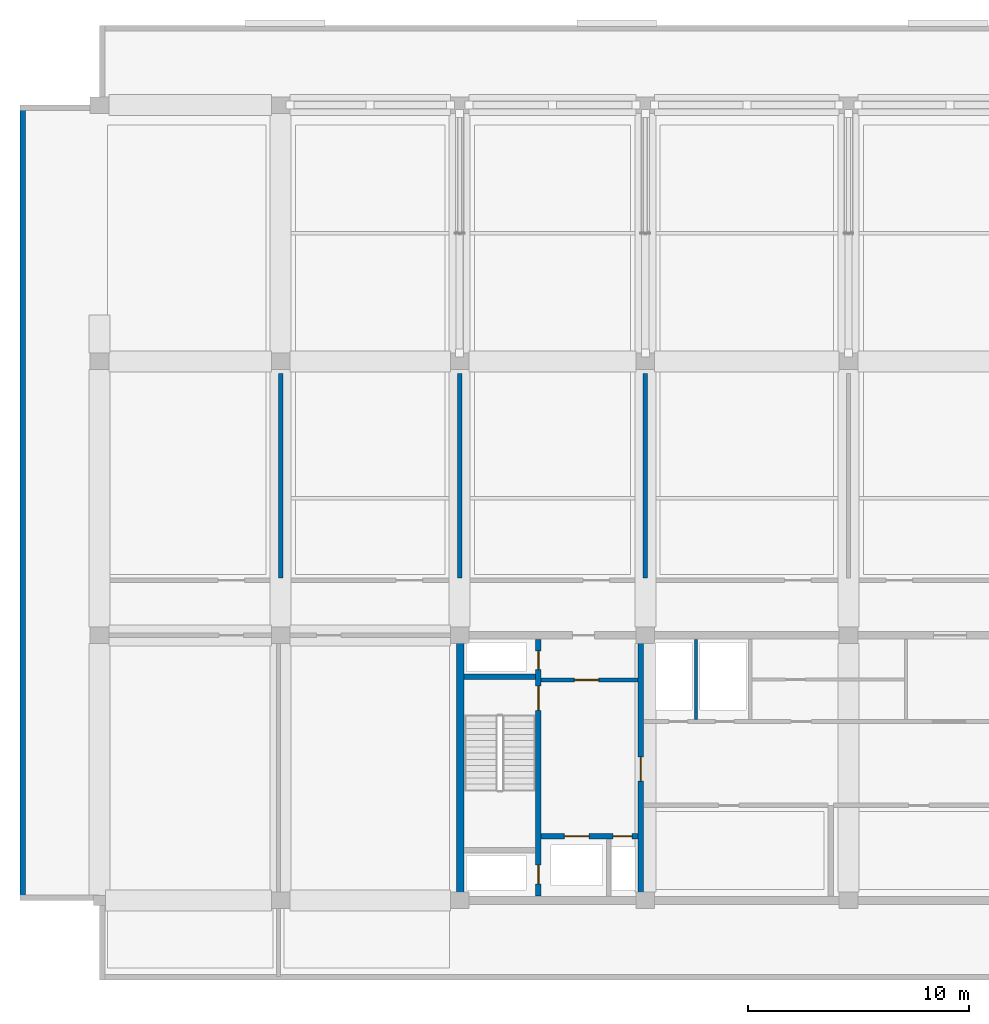
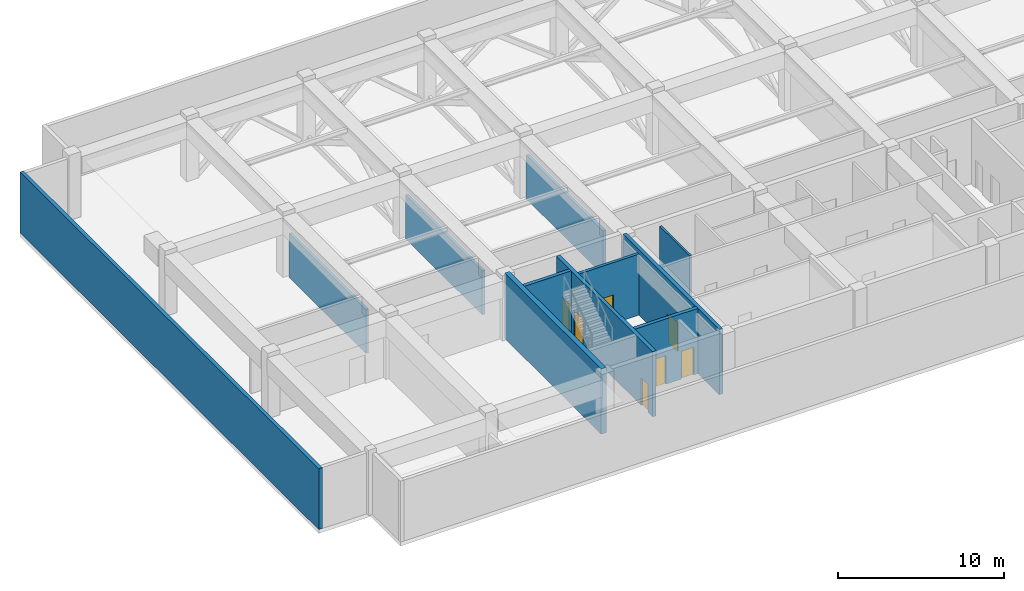
# One storey, part 5 of 11: 11 walls, 7 doors, 7 openings.
"""IFC4 building model written with IfcOpenShell, lengths in metres."""

import ifcopenshell
import ifcopenshell.guid

model = None  # the IFC model being written
_history = None  # IfcOwnerHistory: only IFC2X3 demands one
_inside = {}  # id of a spatial element -> (the spatial element, [elements in it])
_under = {}  # id of a project, library or spatial element -> (it, [spatial elements below it])
_declared = {}  # id of a project -> (the project, [libraries it declares])
_typed = {}  # id of a type object -> (the type object, [elements of that type])
_made_of = {}  # id of a material, layer set ... -> (it, [elements and type objects made of it])


def new_model(schema):
    """Start an empty IFC model of exactly this schema.

    Asked for "IFC4X3", IfcOpenShell would pick the latest addendum, in which some entities
    have other attributes; the version numbers below select the first issue.
    IFC2X3 requires an IfcOwnerHistory on every rooted entity: one is made here for all.
    """
    global model, _history
    if schema == "IFC4X3":
        model = ifcopenshell.file(schema_version=(4, 3, 0, 0))
    else:
        model = ifcopenshell.file(schema=schema)
    _inside.clear()
    _under.clear()
    _declared.clear()
    _typed.clear()
    _made_of.clear()
    _history = None
    if model.schema == "IFC2X3":
        org = make("IfcOrganization", Name="unknown")
        user = make(
            "IfcPersonAndOrganization",
            ThePerson=make("IfcPerson", FamilyName="unknown"),
            TheOrganization=org,
        )
        app = make(
            "IfcApplication",
            ApplicationDeveloper=org,
            Version="unknown",
            ApplicationFullName="unknown",
            ApplicationIdentifier="unknown",
        )
        _history = make(
            "IfcOwnerHistory",
            OwningUser=user,
            OwningApplication=app,
            ChangeAction="ADDED",
            CreationDate=0,
        )
    return model


def make(cls, **values):
    """One entity of the class cls with the attributes given. An attribute that is None is left unset."""
    return model.create_entity(
        cls, **{name: value for name, value in values.items() if value is not None}
    )


def rooted(cls, **values):
    """An entity with a GlobalId (a new one), such as an element, a storey or a relation."""
    return make(cls, GlobalId=ifcopenshell.guid.new(), OwnerHistory=_history, **values)


def si_unit(unit_type, name, prefix=None):
    """IfcSIUnit, for example si_unit("LENGTHUNIT", "METRE", prefix="MILLI")."""
    return make("IfcSIUnit", UnitType=unit_type, Prefix=prefix, Name=name)


def assignment(units):
    """IfcUnitAssignment: the units of a project."""
    return None if units is None else make("IfcUnitAssignment", Units=units)


def point(xyz):
    """IfcCartesianPoint."""
    return None if xyz is None else make("IfcCartesianPoint", Coordinates=xyz)


def direction(xyz):
    """IfcDirection."""
    return None if xyz is None else make("IfcDirection", DirectionRatios=xyz)


def frame(location, z_axis=None, x_axis=None):
    """IfcAxis2Placement3D, a coordinate frame: its origin and axes. An axis left out is left unset."""
    return make(
        "IfcAxis2Placement3D",
        Location=point(location),
        Axis=direction(z_axis),
        RefDirection=direction(x_axis),
    )


def frame_2d(location, x_axis=None):
    """IfcAxis2Placement2D, a coordinate frame in the plane: its origin and x axis."""
    return make(
        "IfcAxis2Placement2D", Location=point(location), RefDirection=direction(x_axis)
    )


def origin():
    """The frame at (0, 0, 0) with its axes left unset."""
    return frame((0.0, 0.0, 0.0))


def place(relative_to, where):
    """IfcLocalPlacement: puts the frame where relative to a parent placement (None: the world)."""
    return make(
        "IfcLocalPlacement", PlacementRelTo=relative_to, RelativePlacement=where
    )


def context(
    kind, dimensions, precision=None, world=None, true_north=None, identifier=None
):
    """IfcGeometricRepresentationContext, for example the 3D "Model" context."""
    return make(
        "IfcGeometricRepresentationContext",
        ContextIdentifier=identifier,
        ContextType=kind,
        CoordinateSpaceDimension=dimensions,
        Precision=precision,
        WorldCoordinateSystem=world,
        TrueNorth=true_north,
    )


def subcontext(parent, identifier, kind, view, scale=None):
    """IfcGeometricRepresentationSubContext, for example "Body" below "Model"."""
    return make(
        "IfcGeometricRepresentationSubContext",
        ContextIdentifier=identifier,
        ContextType=kind,
        ParentContext=parent,
        TargetScale=scale,
        TargetView=view,
    )


def project(units=None, contexts=None):
    """IfcProject with its units and contexts."""
    return rooted(
        "IfcProject",
        Name="project",
        RepresentationContexts=contexts,
        UnitsInContext=assignment(units),
    )


def spatial(cls, under=None, at=None, **own):
    """A site, building, storey or space (cls), placed at a placement, below another one or the project."""
    s = rooted(cls, ObjectPlacement=at, **own)
    if under is not None:
        _under.setdefault(under.id(), (under, []))[1].append(s)
    return s


def profile(cls, at=None, kind="AREA", **sizes):
    """A parametric profile (cls). Its sizes go by their IFC names, for example OverallWidth=200.0."""
    return make(cls, ProfileType=kind, Position=at, **sizes)


def rectangle(**sizes):
    """IfcRectangleProfileDef."""
    return profile("IfcRectangleProfileDef", **sizes)


def extrude(swept, where, along, depth):
    """IfcExtrudedAreaSolid: the profile swept, set in the frame where, extruded along a direction by depth."""
    return make(
        "IfcExtrudedAreaSolid",
        SweptArea=swept,
        Position=where,
        ExtrudedDirection=direction(along),
        Depth=depth,
    )


def shape(context_of_items, identifier, shape_type, items):
    """IfcShapeRepresentation: the items that make up one representation, for example the "Body"."""
    return make(
        "IfcShapeRepresentation",
        ContextOfItems=context_of_items,
        RepresentationIdentifier=identifier,
        RepresentationType=shape_type,
        Items=items,
    )


def material(Name=None, Category=None):
    """IfcMaterial."""
    return make("IfcMaterial", Name=Name, Category=Category)


def layer(
    of_material, thickness, ventilated=None, Name=None, Category=None, Priority=None
):
    """IfcMaterialLayer: one layer of a wall or slab, of a material (None: an air gap)."""
    return make(
        "IfcMaterialLayer",
        Material=of_material,
        LayerThickness=thickness,
        IsVentilated=ventilated,
        Name=Name,
        Category=Category,
        Priority=Priority,
    )


def layer_set(layers, Name=None):
    """IfcMaterialLayerSet."""
    return make("IfcMaterialLayerSet", MaterialLayers=layers, LayerSetName=Name)


def made_of(thing, what):
    """Note that an element or type object is made of a material, layer set ...; save() writes the relation."""
    if what is not None:
        _made_of.setdefault(what.id(), (what, []))[1].append(thing)
    return thing


def type_object(cls, material=None, **own):
    """A type object (cls), such as IfcWallType, which elements share."""
    return made_of(rooted(cls, **own), material)


def element(
    cls,
    number,
    at=None,
    inside=None,
    cuts=None,
    type_object=None,
    material=None,
    context=None,
    identifier="Body",
    shape_type=None,
    held_by="IfcProductDefinitionShape",
    body=None,
    shapes=None,
    **own,
):
    """One element of the class cls, such as IfcWall. Its Tag is "e" and its number.

    at: its placement. inside: the storey or other place that contains it. cuts: it is an
    opening in that element (IfcRelVoidsElement). A single representation is given by context,
    identifier, shape_type and body (its items); several are given by shapes. held_by: the class
    of the entity that holds the representations. save() writes the other relations.
    """
    e = rooted(cls, Tag="e%d" % number, ObjectPlacement=at, **own)
    if body is not None:
        shapes = [shape(context, identifier, shape_type, body)]
    if shapes is not None:
        e.Representation = make(held_by, Representations=shapes)
    if inside is not None:
        _inside.setdefault(inside.id(), (inside, []))[1].append(e)
    if cuts is not None:
        rooted(
            "IfcRelVoidsElement", RelatingBuildingElement=cuts, RelatedOpeningElement=e
        )
    if type_object is not None:
        _typed.setdefault(type_object.id(), (type_object, []))[1].append(e)
    return made_of(e, material)


def fill(opening, filler):
    """IfcRelFillsElement: the door or window that sits in an opening."""
    return rooted(
        "IfcRelFillsElement",
        RelatingOpeningElement=opening,
        RelatedBuildingElement=filler,
    )


def aggregate(whole, parts):
    """IfcRelAggregates: a whole, such as a stair, and the parts it consists of."""
    return rooted("IfcRelAggregates", RelatingObject=whole, RelatedObjects=parts)


def save(model, path):
    """Write the relations noted so far, then the file.

    IfcRelAggregates (storeys below a building ...), IfcRelContainedInSpatialStructure (elements
    in a storey), IfcRelDefinesByType, IfcRelAssociatesMaterial and IfcRelDeclares: one each for
    every whole, place, type object, material and project.
    """
    for whole, parts in _under.values():
        aggregate(whole, parts)
    for where, things in _inside.values():
        rooted(
            "IfcRelContainedInSpatialStructure",
            RelatedElements=things,
            RelatingStructure=where,
        )
    for kind, things in _typed.values():
        rooted("IfcRelDefinesByType", RelatedObjects=things, RelatingType=kind)
    for what, things in _made_of.values():
        rooted("IfcRelAssociatesMaterial", RelatedObjects=things, RelatingMaterial=what)
    for by, libraries in _declared.values():
        rooted("IfcRelDeclares", RelatingContext=by, RelatedDefinitions=libraries)
    model.write(path)


model = new_model("IFC4")

# Units and contexts
model_context = context("Model", 3, precision=1e-05, world=origin(), true_north=direction((0.0, 1.0)))
body_context = subcontext(model_context, "Body", "Model", "MODEL_VIEW")
ifc_project = project(units=[si_unit("LENGTHUNIT", "METRE"), si_unit("AREAUNIT", "SQUARE_METRE"), si_unit("VOLUMEUNIT", "CUBIC_METRE"), si_unit("PLANEANGLEUNIT", "RADIAN"), si_unit("MASSUNIT", "GRAM", prefix="KILO")], contexts=[model_context])

# Site, building, storey
site_placement = place(None, origin())
site = spatial("IfcSite", under=ifc_project, at=site_placement, CompositionType="ELEMENT")
building_placement = place(site_placement, origin())
building = spatial("IfcBuilding", under=site, at=building_placement, Name="Korimba Cascade Residences", CompositionType="ELEMENT")
storey_placement = place(building_placement, frame((0.0, 0.0, 223.85009765625)))
storey = spatial("IfcBuildingStorey", under=building, at=storey_placement, Name="L65", CompositionType="ELEMENT", Elevation=223.85009765625)

# Walls
ifc_material_1 = material(Name="Precast concrete C40/50", Category="concrete")
ifc_layer_1 = layer(ifc_material_1, 0.25)
ifc_layer_set_1 = layer_set([ifc_layer_1], Name="Precast concrete C40/50")
wall_type_1 = type_object("IfcWallType", Name="EW-PLNT-250", PredefinedType="SHEAR", material=ifc_layer_set_1)
wall_1_placement = place(storey_placement, frame((56.324951171875, 91.199951171875, 0.0), z_axis=(0.0, 0.0, 1.0), x_axis=(0.0, -1.0, 0.0)))
element("IfcWall", 1, at=wall_1_placement, inside=storey, type_object=wall_type_1, Name="L65 T1 Perimeter Stone Wall E09", PredefinedType="SHEAR", context=body_context, shape_type="SweptSolid", body=[
    extrude(rectangle(XDim=36.0, YDim=0.25, at=frame_2d((18.0, 0.0))), origin(), (0.0, 0.0, 1.0), 4.47998046875),
])
ifc_material_2 = material(Name="Concrete C65/80", Category="concrete")
ifc_layer_2 = layer(ifc_material_2, 0.35009765625)
ifc_layer_set_2 = layer_set([ifc_layer_2], Name="Concrete C65/80")
wall_type_2 = type_object("IfcWallType", Name="WAL-CORE-350", PredefinedType="SHEAR", material=ifc_layer_set_2)
wall_2_placement = place(storey_placement, frame((76.125, 55.375, 0.0), z_axis=(0.0, 0.0, 1.0), x_axis=(0.0, 1.0, 0.0)))
element("IfcWall", 2, at=wall_2_placement, inside=storey, type_object=wall_type_2, Name="L65 Core Shear Wall CW-L65-T1-W", PredefinedType="SHEAR", context=body_context, shape_type="SweptSolid", body=[
    extrude(rectangle(XDim=11.64990234375, YDim=0.35009765625, at=frame_2d((5.824951171875, 0.0))), origin(), (0.0, 0.0, 1.0), 4.7998046875),
])
ifc_material_3 = material(Name="Insulated Acoustic Stud Partition", Category="gypsum")
ifc_layer_3 = layer(ifc_material_3, 0.14990234375)
ifc_layer_set_3 = layer_set([ifc_layer_3], Name="Insulated Acoustic Stud Partition")
wall_type_3 = type_object("IfcWallType", Name="WAL-PART-150", PredefinedType="PARTITIONING", material=ifc_layer_set_3)
wall_3_placement = place(storey_placement, frame((86.800048828125, 63.39990234375, 0.0), z_axis=(0.0, 0.0, 1.0), x_axis=(0.0, 1.0, 0.0)))
element("IfcWall", 3, at=wall_3_placement, inside=storey, type_object=wall_type_3, Name="L65 Partition Wall CW-L65-T1-ERDIV", PredefinedType="PARTITIONING", context=body_context, shape_type="SweptSolid", body=[
    extrude(rectangle(XDim=3.60009765625, YDim=0.14990234375, at=frame_2d((1.800048828125, 0.0))), origin(), (0.0, 0.0, 1.0), 4.47998046875),
])

# Wall, opening, door
ifc_material_4 = material(Name="Concrete C40/50", Category="concrete")
ifc_layer_4 = layer(ifc_material_4, 0.199951171875)
ifc_layer_set_4 = layer_set([ifc_layer_4], Name="Concrete C40/50")
wall_type_4 = type_object("IfcWallType", Name="WAL-PART-200", PredefinedType="PARTITIONING", material=ifc_layer_set_4)
wall_4_placement = place(storey_placement, frame((79.7900390625, 65.179931640625, 0.0), z_axis=(0.0, 0.0, 1.0), x_axis=(1.0, 0.0, 0.0)))
wall_4 = element("IfcWall", 4, at=wall_4_placement, inside=storey, type_object=wall_type_4, Name="L65 Partition Wall CW-L65-T1-FFLN", PredefinedType="PARTITIONING", context=body_context, shape_type="SweptSolid", body=[
    extrude(rectangle(XDim=4.389892578125, YDim=0.199951171875, at=frame_2d((2.19482421875, 0.0))), origin(), (0.0, 0.0, 1.0), 4.47998046875),
])
opening_1_placement = place(wall_4_placement, frame((1.5, 0.0, 0.0)))
opening_1 = element("IfcOpeningElement", 5, at=opening_1_placement, cuts=wall_4, Name="Opening D-FD1", PredefinedType="OPENING", context=body_context, shape_type="SweptSolid", body=[
    extrude(rectangle(XDim=1.10009765625, YDim=2.10009765625, at=frame_2d((0.550048828125, 1.050048828125))), frame((0.0, 0.10986328125, 0.0), z_axis=(0.0, -1.0, 0.0), x_axis=(1.0, 0.0, 0.0)), (0.0, 0.0, 1.0), 0.219970703125),
])
ifc_material_5 = material(Name="Fire-Rated Steel Core Door", Category="steel")
door_type_1 = type_object("IfcDoorType", Name="DR-FD120-1100", OperationType="NOTDEFINED", PredefinedType="DOOR", material=ifc_material_5)
door_1_placement = place(opening_1_placement, origin())
door_1 = element("IfcDoor", 6, at=door_1_placement, inside=storey, type_object=door_type_1, Name="L65 West Firefighting Lobby Door", OperationType="SINGLE_SWING_LEFT", OverallHeight=2.10009765625, OverallWidth=1.10009765625, PredefinedType="DOOR", context=body_context, shape_type="SweptSolid", body=[
    extrude(rectangle(XDim=1.10009765625, YDim=2.10009765625, at=frame_2d((0.550048828125, 1.050048828125))), frame((0.0, 0.02490234375, 0.0), z_axis=(0.0, -1.0, 0.0), x_axis=(1.0, 0.0, 0.0)), (0.0, 0.0, 1.0), 0.050048828125),
])
fill(opening_1, door_1)

# Walls
for number, where, z_axis, x_axis, name in (
    (7, (68.0, 69.800048828125, 0.0), (0.0, 0.0, 1.0), (0.0, 1.0, 0.0), "L65 Partition Wall WAL-L65-T1-PD1"),
    (8, (76.10009765625, 69.800048828125, 0.0), (0.0, 0.0, 1.0), (0.0, 1.0, 0.0), "L65 Partition Wall WAL-L65-T1-PD2"),
    (9, (84.5, 69.800048828125, 0.0), (0.0, 0.0, 1.0), (0.0, 1.0, 0.0), "L65 Partition Wall WAL-L65-T1-PD3"),
):
    element("IfcWall", number, at=place(storey_placement, frame(where, z_axis=z_axis, x_axis=x_axis)), inside=storey, type_object=wall_type_4, Name=name, PredefinedType="PARTITIONING", context=body_context, shape_type="SweptSolid", body=[
        extrude(rectangle(XDim=9.25, YDim=0.199951171875, at=frame_2d((4.625, 0.0))), origin(), (0.0, 0.0, 1.0), 3.22998046875),
    ])

# Wall, openings, doors
ifc_material_6 = material(Name="Concrete C50/60", Category="concrete")
ifc_layer_5 = layer(ifc_material_6, 0.25)
ifc_layer_set_5 = layer_set([ifc_layer_5], Name="Concrete C50/60")
wall_type_5 = type_object("IfcWallType", Name="WAL-SHAFT-250", PredefinedType="SHEAR", material=ifc_layer_set_5)
wall_5_placement = place(storey_placement, frame((79.6650390625, 55.39990234375, 0.0), z_axis=(0.0, 0.0, 1.0), x_axis=(0.0, 1.0, 0.0)))
wall_5 = element("IfcWall", 10, at=wall_5_placement, inside=storey, type_object=wall_type_5, Name="L65 Core Shear Wall CW-L65-T1-STW1E", PredefinedType="SHEAR", context=body_context, shape_type="SweptSolid", body=[
    extrude(rectangle(XDim=11.60009765625, YDim=0.25, at=frame_2d((5.800048828125, 0.0))), origin(), (0.0, 0.0, 1.0), 4.7998046875),
])
opening_2_placement = place(wall_5_placement, frame((0.550048828125, 0.0, 0.0)))
opening_2 = element("IfcOpeningElement", 11, at=opening_2_placement, cuts=wall_5, Name="Opening D-RS1", PredefinedType="OPENING", context=body_context, shape_type="SweptSolid", body=[
    extrude(rectangle(XDim=0.85009765625, YDim=2.050048828125, at=frame_2d((0.425048828125, 1.02490234375))), frame((0.0, 0.135009765625, 0.0), z_axis=(0.0, -1.0, 0.0), x_axis=(1.0, 0.0, 0.0)), (0.0, 0.0, 1.0), 0.27001953125),
])
opening_3_placement = place(wall_5_placement, frame((8.39990234375, 0.0, 0.0)))
opening_3 = element("IfcOpeningElement", 12, at=opening_3_placement, cuts=wall_5, Name="Opening D-FD1", PredefinedType="OPENING", context=body_context, shape_type="SweptSolid", body=[
    extrude(rectangle(XDim=1.10009765625, YDim=2.10009765625, at=frame_2d((0.550048828125, 1.050048828125))), frame((0.0, 0.135009765625, 0.0), z_axis=(0.0, -1.0, 0.0), x_axis=(1.0, 0.0, 0.0)), (0.0, 0.0, 1.0), 0.27001953125),
])
opening_4_placement = place(wall_5_placement, frame((10.25, 0.0, 0.0)))
opening_4 = element("IfcOpeningElement", 13, at=opening_4_placement, cuts=wall_5, Name="Opening D-RS1", PredefinedType="OPENING", context=body_context, shape_type="SweptSolid", body=[
    extrude(rectangle(XDim=0.85009765625, YDim=2.050048828125, at=frame_2d((0.425048828125, 1.02490234375))), frame((0.0, 0.135009765625, 0.0), z_axis=(0.0, -1.0, 0.0), x_axis=(1.0, 0.0, 0.0)), (0.0, 0.0, 1.0), 0.27001953125),
])
door_2_placement = place(opening_3_placement, origin())
door_2 = element("IfcDoor", 14, at=door_2_placement, inside=storey, type_object=door_type_1, Name="L65 Fire Stair ST-W1 Door", OperationType="SINGLE_SWING_RIGHT", OverallHeight=2.10009765625, OverallWidth=1.10009765625, PredefinedType="DOOR", context=body_context, shape_type="SweptSolid", body=[
    extrude(rectangle(XDim=1.10009765625, YDim=2.10009765625, at=frame_2d((0.550048828125, 1.050048828125))), frame((0.0, 0.02490234375, 0.0), z_axis=(0.0, -1.0, 0.0), x_axis=(1.0, 0.0, 0.0)), (0.0, 0.0, 1.0), 0.050048828125),
])
fill(opening_3, door_2)
ifc_material_7 = material(Name="Fire-Rated Steel Riser Access Door", Category="steel")
door_type_2 = type_object("IfcDoorType", Name="DR-FD60-850", OperationType="NOTDEFINED", PredefinedType="DOOR", material=ifc_material_7)
door_3_placement = place(opening_2_placement, origin())
door_3 = element("IfcDoor", 15, at=door_3_placement, inside=storey, type_object=door_type_2, Name="L65 Smoke Riser Access Door", OperationType="SINGLE_SWING_LEFT", OverallHeight=2.050048828125, OverallWidth=0.85009765625, PredefinedType="DOOR", context=body_context, shape_type="SweptSolid", body=[
    extrude(rectangle(XDim=0.85009765625, YDim=2.050048828125, at=frame_2d((0.425048828125, 1.02490234375))), frame((0.0, 0.02490234375, 0.0), z_axis=(0.0, -1.0, 0.0), x_axis=(1.0, 0.0, 0.0)), (0.0, 0.0, 1.0), 0.050048828125),
])
fill(opening_2, door_3)
door_4_placement = place(opening_4_placement, origin())
door_4 = element("IfcDoor", 16, at=door_4_placement, inside=storey, type_object=door_type_2, Name="L65 Hydrant Riser Access Door", OperationType="SINGLE_SWING_LEFT", OverallHeight=2.050048828125, OverallWidth=0.85009765625, PredefinedType="DOOR", context=body_context, shape_type="SweptSolid", body=[
    extrude(rectangle(XDim=0.85009765625, YDim=2.050048828125, at=frame_2d((0.425048828125, 1.02490234375))), frame((0.0, 0.02490234375, 0.0), z_axis=(0.0, -1.0, 0.0), x_axis=(1.0, 0.0, 0.0)), (0.0, 0.0, 1.0), 0.050048828125),
])
fill(opening_4, door_4)

# Wall
wall_6_placement = place(storey_placement, frame((76.300048828125, 65.324951171875, 0.0), z_axis=(0.0, 0.0, 1.0), x_axis=(1.0, 0.0, 0.0)))
element("IfcWall", 17, at=wall_6_placement, inside=storey, type_object=wall_type_5, Name="L65 Core Shear Wall CW-L65-T1-STW1N", PredefinedType="SHEAR", context=body_context, shape_type="SweptSolid", body=[
    extrude(rectangle(XDim=3.239990234375, YDim=0.25, at=frame_2d((1.6201171875, 0.0))), origin(), (0.0, 0.0, 1.0), 4.7998046875),
])

# Wall, openings, doors
wall_7_placement = place(storey_placement, frame((79.7900390625, 58.10009765625, 0.0), z_axis=(0.0, 0.0, 1.0), x_axis=(1.0, 0.0, 0.0)))
wall_7 = element("IfcWall", 18, at=wall_7_placement, inside=storey, type_object=wall_type_5, Name="L65 Core Shear Wall CW-L65-T1-FFLS", PredefinedType="SHEAR", context=body_context, shape_type="SweptSolid", body=[
    extrude(rectangle(XDim=4.389892578125, YDim=0.25, at=frame_2d((2.19482421875, 0.0))), origin(), (0.0, 0.0, 1.0), 4.7998046875),
])
opening_5_placement = place(wall_7_placement, frame((1.050048828125, 0.0, 0.0)))
opening_5 = element("IfcOpeningElement", 19, at=opening_5_placement, cuts=wall_7, Name="Opening LD-01", PredefinedType="OPENING", context=body_context, shape_type="SweptSolid", body=[
    extrude(rectangle(XDim=1.1201171875, YDim=2.1201171875, at=frame_2d((0.56005859375, 1.06005859375))), frame((0.0, 0.135009765625, 0.0), z_axis=(0.0, -1.0, 0.0), x_axis=(1.0, 0.0, 0.0)), (0.0, 0.0, 1.0), 0.27001953125),
])
opening_6_placement = place(wall_7_placement, frame((3.260009765625, 0.0, 0.0)))
opening_6 = element("IfcOpeningElement", 20, at=opening_6_placement, cuts=wall_7, Name="Opening D-RS1", PredefinedType="OPENING", context=body_context, shape_type="SweptSolid", body=[
    extrude(rectangle(XDim=0.85009765625, YDim=2.050048828125, at=frame_2d((0.425048828125, 1.02490234375))), frame((0.0, 0.135009765625, 0.0), z_axis=(0.0, -1.0, 0.0), x_axis=(1.0, 0.0, 0.0)), (0.0, 0.0, 1.0), 0.27001953125),
])
door_5_placement = place(opening_6_placement, origin())
door_5 = element("IfcDoor", 21, at=door_5_placement, inside=storey, type_object=door_type_2, Name="L65 Pressurisation Riser Door", OperationType="SINGLE_SWING_RIGHT", OverallHeight=2.050048828125, OverallWidth=0.85009765625, PredefinedType="DOOR", context=body_context, shape_type="SweptSolid", body=[
    extrude(rectangle(XDim=0.85009765625, YDim=2.050048828125, at=frame_2d((0.425048828125, 1.02490234375))), frame((0.0, 0.02490234375, 0.0), z_axis=(0.0, -1.0, 0.0), x_axis=(1.0, 0.0, 0.0)), (0.0, 0.0, 1.0), 0.050048828125),
])
fill(opening_6, door_5)
ifc_material_8 = material(Name="Stainless Steel Lift Landing Sliding Door", Category="steel")
door_type_3 = type_object("IfcDoorType", Name="DR-LIFT-1100", OperationType="NOTDEFINED", PredefinedType="DOOR", material=ifc_material_8)
door_6_placement = place(opening_5_placement, origin())
door_6 = element("IfcDoor", 22, at=door_6_placement, inside=storey, type_object=door_type_3, Name="L65 Firefighting Lift Landing Door FFL-W1", OperationType="SLIDING_TO_LEFT", OverallHeight=2.1201171875, OverallWidth=1.1201171875, PredefinedType="DOOR", context=body_context, shape_type="SweptSolid", body=[
    extrude(rectangle(XDim=1.1201171875, YDim=2.1201171875, at=frame_2d((0.56005859375, 1.06005859375))), frame((0.0, 0.02490234375, 0.0), z_axis=(0.0, -1.0, 0.0), x_axis=(1.0, 0.0, 0.0)), (0.0, 0.0, 1.0), 0.050048828125),
])
fill(opening_5, door_6)

# Wall, opening, door
wall_8_placement = place(storey_placement, frame((84.300048828125, 55.39990234375, 0.0), z_axis=(0.0, 0.0, 1.0), x_axis=(0.0, 1.0, 0.0)))
wall_8 = element("IfcWall", 23, at=wall_8_placement, inside=storey, type_object=wall_type_5, Name="L65 Core Shear Wall CW-L65-T1-FFLE", PredefinedType="SHEAR", context=body_context, shape_type="SweptSolid", body=[
    extrude(rectangle(XDim=11.60009765625, YDim=0.25, at=frame_2d((5.800048828125, 0.0))), origin(), (0.0, 0.0, 1.0), 4.7998046875),
])
opening_7_placement = place(wall_8_placement, frame((5.199951171875, 0.0, 0.0)))
opening_7 = element("IfcOpeningElement", 24, at=opening_7_placement, cuts=wall_8, Name="Opening D-FD1", PredefinedType="OPENING", context=body_context, shape_type="SweptSolid", body=[
    extrude(rectangle(XDim=1.10009765625, YDim=2.10009765625, at=frame_2d((0.550048828125, 1.050048828125))), frame((0.0, 0.135009765625, 0.0), z_axis=(0.0, -1.0, 0.0), x_axis=(1.0, 0.0, 0.0)), (0.0, 0.0, 1.0), 0.27001953125),
])
door_7_placement = place(opening_7_placement, origin())
door_7 = element("IfcDoor", 25, at=door_7_placement, inside=storey, type_object=door_type_1, Name="L65 Firefighting Lobby to Lift Lobby Door", OperationType="SINGLE_SWING_RIGHT", OverallHeight=2.10009765625, OverallWidth=1.10009765625, PredefinedType="DOOR", context=body_context, shape_type="SweptSolid", body=[
    extrude(rectangle(XDim=1.10009765625, YDim=2.10009765625, at=frame_2d((0.550048828125, 1.050048828125))), frame((0.0, 0.02490234375, 0.0), z_axis=(0.0, -1.0, 0.0), x_axis=(1.0, 0.0, 0.0)), (0.0, 0.0, 1.0), 0.050048828125),
])
fill(opening_7, door_7)

save(model, "model.ifc")
